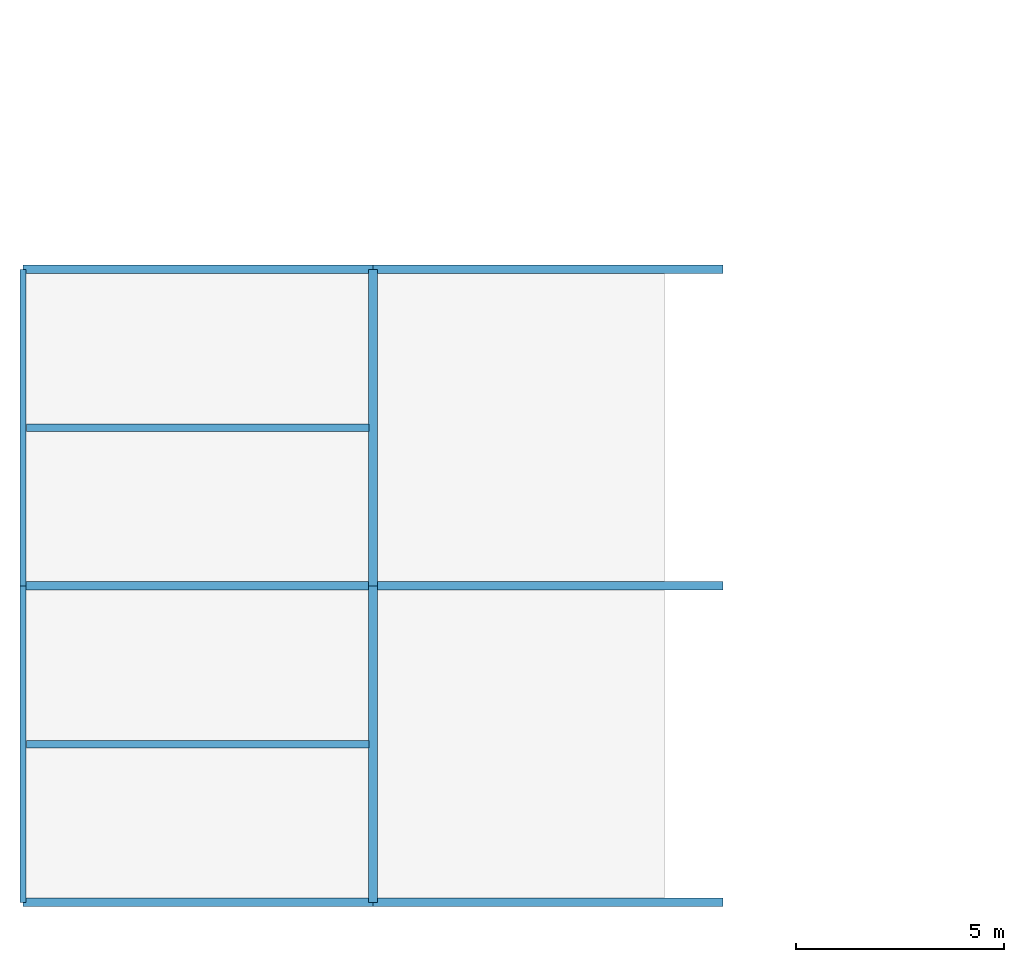
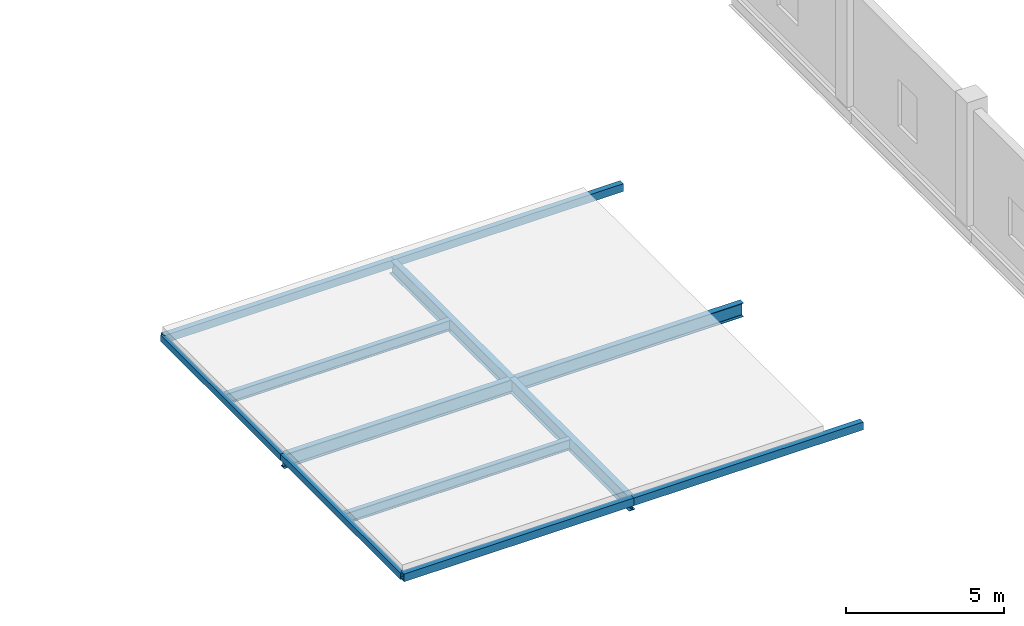
# One storey, part 12 of 51: 12 beams.
"""IFC4 building model written with IfcOpenShell, lengths in metres."""

from ifc_helpers import new_model, si_unit, direction, frame, origin, origin_2d, place, context, subcontext, project, spatial, hollow_rectangle, i_section, extrude, material, material_profile, profile_set, type_object, element, save


model = new_model("IFC4")

# Units and contexts
model_context = context("Model", 3, precision=1e-05, world=origin(), true_north=direction((0.0, 1.0)))
body_context = subcontext(model_context, "Body", "Model", "MODEL_VIEW")
ifc_project = project(units=[si_unit("LENGTHUNIT", "METRE"), si_unit("AREAUNIT", "SQUARE_METRE"), si_unit("VOLUMEUNIT", "CUBIC_METRE"), si_unit("PLANEANGLEUNIT", "RADIAN"), si_unit("MASSUNIT", "GRAM", prefix="KILO")], contexts=[model_context])

# Site, building, storey
site_placement = place(None, origin())
site = spatial("IfcSite", under=ifc_project, at=site_placement, CompositionType="ELEMENT")
building_placement = place(site_placement, origin())
building = spatial("IfcBuilding", under=site, at=building_placement, Name="Zuvorla Pavilion Media Centre", CompositionType="ELEMENT")
storey_placement = place(building_placement, frame((0.0, 0.0, 4.800048828125)))
storey = spatial("IfcBuildingStorey", under=building, at=storey_placement, Name="L01", CompositionType="ELEMENT", Elevation=4.800048828125)

# Beams
ifc_material = material(Name="Steel S355", Category="steel")
ifc_material_profile_1 = material_profile(ifc_material, hollow_rectangle(XDim=0.14990234375, YDim=0.25, WallThickness=0.010009765625, at=origin_2d()), Name="RHS 250x150x10")
ifc_profile_set_1 = profile_set([ifc_material_profile_1], Name="Steel S355")
beam_type_1 = type_object("IfcBeamType", Name="BM-SP-RHS250", PredefinedType="SPANDREL", material=ifc_profile_set_1)
beam_1_placement = place(storey_placement, frame((8.0, 6.0, -0.4130859375), z_axis=(0.0, 1.0, 0.0), x_axis=(-1.0, 0.0, 0.0)))
element("IfcBeam", 1, at=beam_1_placement, inside=storey, type_object=beam_type_1, Name="L01 spandrel SP02 569", PredefinedType="SPANDREL", context=body_context, shape_type="SweptSolid", body=[
    extrude(hollow_rectangle(XDim=0.14990234375, YDim=0.25, WallThickness=0.010009765625, at=origin_2d()), origin(), (0.0, 0.0, 1.0), 7.60009765625),
])
beam_2_placement = place(storey_placement, frame((8.0, 13.60009765625, -0.4130859375), z_axis=(0.0, 1.0, 0.0), x_axis=(-1.0, 0.0, 0.0)))
element("IfcBeam", 2, at=beam_2_placement, inside=storey, type_object=beam_type_1, Name="L01 spandrel SP02 570", PredefinedType="SPANDREL", context=body_context, shape_type="SweptSolid", body=[
    extrude(hollow_rectangle(XDim=0.14990234375, YDim=0.25, WallThickness=0.010009765625, at=origin_2d()), origin(), (0.0, 0.0, 1.0), 7.599853515625),
])
ifc_material_profile_2 = material_profile(ifc_material, hollow_rectangle(XDim=0.199951171875, YDim=0.300048828125, WallThickness=0.012451171875, at=origin_2d()), Name="RHS 300x200x12.5")
ifc_profile_set_2 = profile_set([ifc_material_profile_2], Name="Steel S355")
beam_type_2 = type_object("IfcBeamType", Name="BM-SP-RHS300", PredefinedType="SPANDREL", material=ifc_profile_set_2)
beam_3_placement = place(storey_placement, frame((8.0, 6.0, -0.43798828125), z_axis=(1.0, 0.0, 0.0), x_axis=(0.0, 1.0, 0.0)))
element("IfcBeam", 3, at=beam_3_placement, inside=storey, type_object=beam_type_2, Name="L01 spandrel SP01 431", PredefinedType="SPANDREL", context=body_context, shape_type="SweptSolid", body=[
    extrude(hollow_rectangle(XDim=0.199951171875, YDim=0.300048828125, WallThickness=0.012451171875, at=origin_2d()), origin(), (0.0, 0.0, 1.0), 8.39990234375),
])
beam_4_placement = place(storey_placement, frame((16.39990234375, 6.0, -0.43798828125), z_axis=(1.0, 0.0, 0.0), x_axis=(0.0, 1.0, 0.0)))
element("IfcBeam", 4, at=beam_4_placement, inside=storey, type_object=beam_type_2, Name="L01 spandrel SP01 432", PredefinedType="SPANDREL", context=body_context, shape_type="SweptSolid", body=[
    extrude(hollow_rectangle(XDim=0.199951171875, YDim=0.300048828125, WallThickness=0.012451171875, at=origin_2d()), origin(), (0.0, 0.0, 1.0), 8.400146484375),
])
beam_5_placement = place(storey_placement, frame((8.0, 21.199951171875, -0.43798828125), z_axis=(1.0, 0.0, 0.0), x_axis=(0.0, 1.0, 0.0)))
element("IfcBeam", 5, at=beam_5_placement, inside=storey, type_object=beam_type_2, Name="L01 spandrel SP01 463", PredefinedType="SPANDREL", context=body_context, shape_type="SweptSolid", body=[
    extrude(hollow_rectangle(XDim=0.199951171875, YDim=0.300048828125, WallThickness=0.012451171875, at=origin_2d()), origin(), (0.0, 0.0, 1.0), 8.39990234375),
])
beam_6_placement = place(storey_placement, frame((16.39990234375, 21.199951171875, -0.43798828125), z_axis=(1.0, 0.0, 0.0), x_axis=(0.0, 1.0, 0.0)))
element("IfcBeam", 6, at=beam_6_placement, inside=storey, type_object=beam_type_2, Name="L01 spandrel SP01 464", PredefinedType="SPANDREL", context=body_context, shape_type="SweptSolid", body=[
    extrude(hollow_rectangle(XDim=0.199951171875, YDim=0.300048828125, WallThickness=0.012451171875, at=origin_2d()), origin(), (0.0, 0.0, 1.0), 8.400146484375),
])
ifc_material_profile_3 = material_profile(ifc_material, i_section(OverallWidth=0.1787109375, OverallDepth=0.409423828125, WebThickness=0.0087890625, FlangeThickness=0.014404296875, FilletRadius=0.01025390625, at=origin_2d()), Name="UB 406x178x67")
ifc_profile_set_3 = profile_set([ifc_material_profile_3], Name="Steel S355")
beam_type_3 = type_object("IfcBeamType", Name="BM-UB406", PredefinedType="JOIST", material=ifc_profile_set_3)
for number, where, z_axis, x_axis, name in (
    (7, (8.080078125, 9.800048828125, -0.49267578125), (1.0, 0.0, 0.0), (0.0, 1.0, 0.0), "L01 joist J02 701"),
    (8, (8.080078125, 17.39990234375, -0.49267578125), (1.0, 0.0, 0.0), (0.0, 1.0, 0.0), "L01 joist J02 702"),
):
    element("IfcBeam", number, at=place(storey_placement, frame(where, z_axis=z_axis, x_axis=x_axis)), inside=storey, type_object=beam_type_3, Name=name, PredefinedType="JOIST", context=body_context, shape_type="SweptSolid", body=[
        extrude(i_section(OverallWidth=0.1787109375, OverallDepth=0.409423828125, WebThickness=0.0087890625, FlangeThickness=0.014404296875, FilletRadius=0.01025390625, at=origin_2d()), origin(), (0.0, 0.0, 1.0), 8.219970703125),
    ])
ifc_material_profile_4 = material_profile(ifc_material, i_section(OverallWidth=0.2099609375, OverallDepth=0.53662109375, WebThickness=0.0107421875, FlangeThickness=0.017333984375, FilletRadius=0.0126953125, at=origin_2d()), Name="UB 533x210x101")
ifc_profile_set_4 = profile_set([ifc_material_profile_4], Name="Steel S355")
beam_type_4 = type_object("IfcBeamType", Name="BM-UB533", PredefinedType="BEAM", material=ifc_profile_set_4)
beam_7_placement = place(storey_placement, frame((8.0, 13.60009765625, -0.556396484375), z_axis=(1.0, 0.0, 0.0), x_axis=(0.0, 1.0, 0.0)))
element("IfcBeam", 9, at=beam_7_placement, inside=storey, type_object=beam_type_4, Name="L01 beam B08 447", PredefinedType="BEAM", context=body_context, shape_type="SweptSolid", body=[
    extrude(i_section(OverallWidth=0.2099609375, OverallDepth=0.53662109375, WebThickness=0.0107421875, FlangeThickness=0.017333984375, FilletRadius=0.0126953125, at=origin_2d()), origin(), (0.0, 0.0, 1.0), 8.39990234375),
])
beam_8_placement = place(storey_placement, frame((16.39990234375, 13.60009765625, -0.556396484375), z_axis=(1.0, 0.0, 0.0), x_axis=(0.0, 1.0, 0.0)))
element("IfcBeam", 10, at=beam_8_placement, inside=storey, type_object=beam_type_4, Name="L01 beam B08 448", PredefinedType="BEAM", context=body_context, shape_type="SweptSolid", body=[
    extrude(i_section(OverallWidth=0.2099609375, OverallDepth=0.53662109375, WebThickness=0.0107421875, FlangeThickness=0.017333984375, FilletRadius=0.0126953125, at=origin_2d()), origin(), (0.0, 0.0, 1.0), 8.400146484375),
])
beam_9_placement = place(storey_placement, frame((16.39990234375, 6.0, -0.556396484375), z_axis=(0.0, 1.0, 0.0), x_axis=(-1.0, 0.0, 0.0)))
element("IfcBeam", 11, at=beam_9_placement, inside=storey, type_object=beam_type_4, Name="L01 beam B08 571", PredefinedType="BEAM", context=body_context, shape_type="SweptSolid", body=[
    extrude(i_section(OverallWidth=0.2099609375, OverallDepth=0.53662109375, WebThickness=0.0107421875, FlangeThickness=0.017333984375, FilletRadius=0.0126953125, at=origin_2d()), origin(), (0.0, 0.0, 1.0), 7.60009765625),
])
beam_10_placement = place(storey_placement, frame((16.39990234375, 13.60009765625, -0.556396484375), z_axis=(0.0, 1.0, 0.0), x_axis=(-1.0, 0.0, 0.0)))
element("IfcBeam", 12, at=beam_10_placement, inside=storey, type_object=beam_type_4, Name="L01 beam B08 572", PredefinedType="BEAM", context=body_context, shape_type="SweptSolid", body=[
    extrude(i_section(OverallWidth=0.2099609375, OverallDepth=0.53662109375, WebThickness=0.0107421875, FlangeThickness=0.017333984375, FilletRadius=0.0126953125, at=origin_2d()), origin(), (0.0, 0.0, 1.0), 7.599853515625),
])

save(model, "model.ifc")
